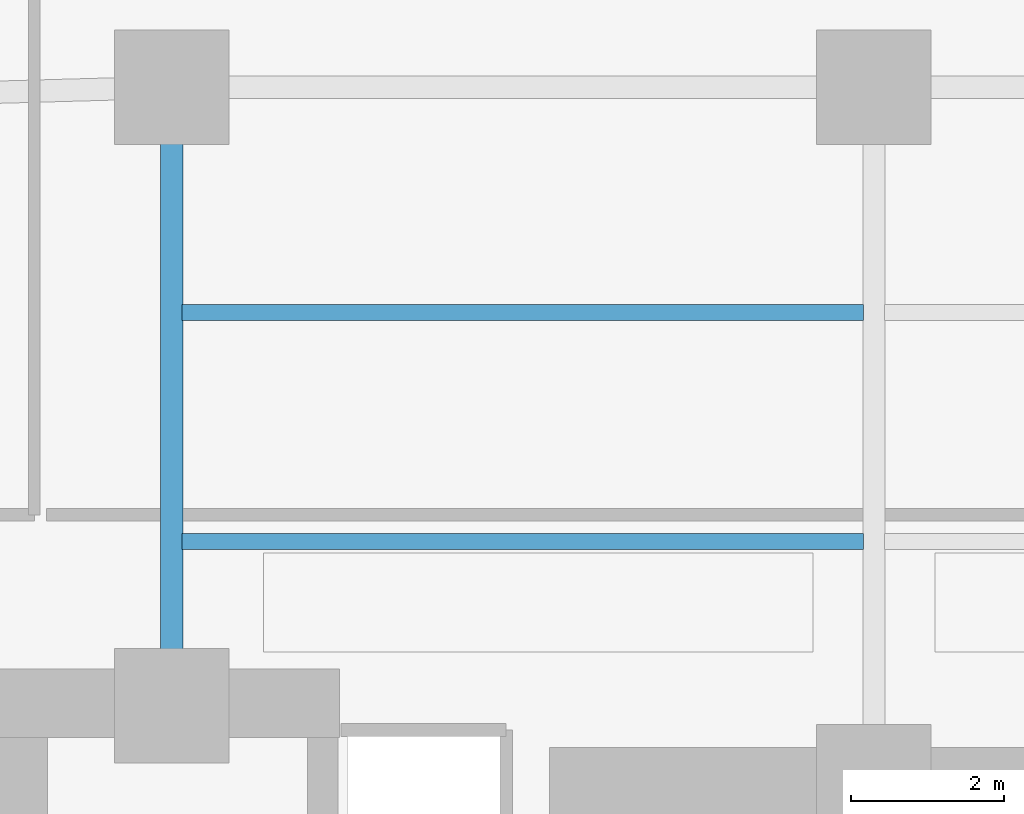
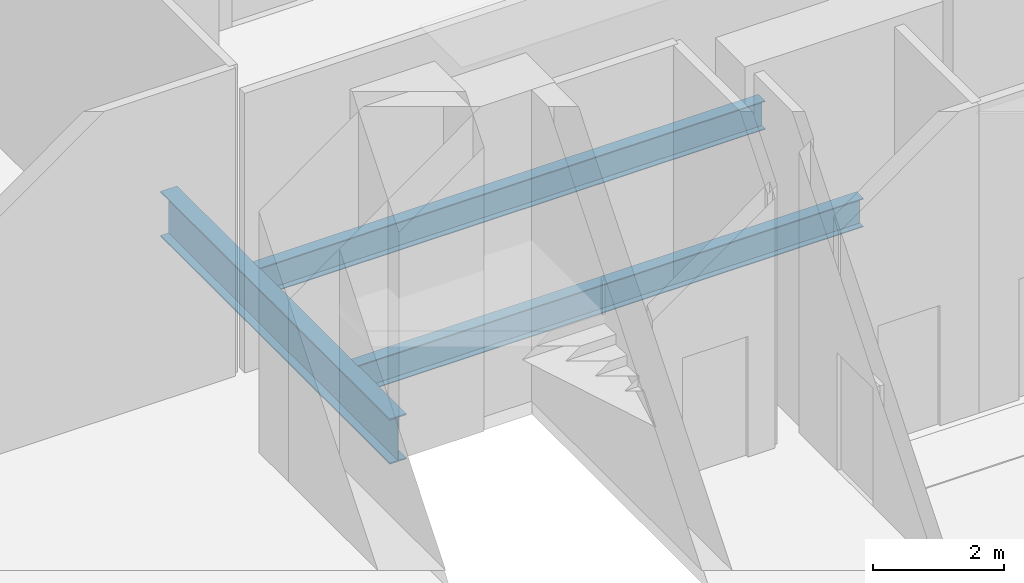
# One storey, part 14 of 39: 3 beams.
"""IFC4 building model written with IfcOpenShell, lengths in metres."""

from ifc_helpers import new_model, si_unit, direction, frame, origin, origin_2d, place, context, subcontext, project, spatial, i_section, extrude, material, material_profile, profile_set, type_object, element, save


model = new_model("IFC4")

# Units and contexts
model_context = context("Model", 3, precision=1e-05, world=origin(), true_north=direction((0.0, 1.0)))
body_context = subcontext(model_context, "Body", "Model", "MODEL_VIEW")
ifc_project = project(units=[si_unit("LENGTHUNIT", "METRE"), si_unit("AREAUNIT", "SQUARE_METRE"), si_unit("VOLUMEUNIT", "CUBIC_METRE"), si_unit("PLANEANGLEUNIT", "RADIAN"), si_unit("MASSUNIT", "GRAM", prefix="KILO")], contexts=[model_context])

# Site, building, storey
site_placement = place(None, origin())
site = spatial("IfcSite", under=ifc_project, at=site_placement, CompositionType="ELEMENT")
building_placement = place(site_placement, origin())
building = spatial("IfcBuilding", under=site, at=building_placement, Name="Zuhayl Quay Hotel", CompositionType="ELEMENT")
storey_placement = place(building_placement, origin())
storey = spatial("IfcBuildingStorey", under=building, at=storey_placement, Name="L00", CompositionType="ELEMENT", Elevation=0.0)

# Beams
ifc_material = material(Name="Steel ASTM A992 Grade 50", Category="steel")
ifc_material_profile_1 = material_profile(ifc_material, i_section(OverallWidth=0.208984375, OverallDepth=0.532958984375, WebThickness=0.01025390625, FlangeThickness=0.015625, at=origin_2d()), Name="W21X62")
ifc_profile_set_1 = profile_set([ifc_material_profile_1], Name="Steel ASTM A992 Grade 50")
beam_type_1 = type_object("IfcBeamType", Name="BM_J1_W21X62", PredefinedType="JOIST", material=ifc_profile_set_1)
for number, where, z_axis, x_axis, name in (
    (1, (-13.662109375, 16.5, -0.526611328125), (1.0, 0.0, 0.0), (0.0, 1.0, 0.0), "L00 Floor Beam J_POD_L00_4_1"),
    (2, (-13.662109375, 19.5, -0.526611328125), (1.0, 0.0, 0.0), (0.0, 1.0, 0.0), "L00 Floor Beam J_POD_L00_5_1"),
):
    element("IfcBeam", number, at=place(storey_placement, frame(where, z_axis=z_axis, x_axis=x_axis)), inside=storey, type_object=beam_type_1, Name=name, PredefinedType="JOIST", context=body_context, shape_type="SweptSolid", body=[
        extrude(i_section(OverallWidth=0.208984375, OverallDepth=0.532958984375, WebThickness=0.01025390625, FlangeThickness=0.015625, at=origin_2d()), origin(), (0.0, 0.0, 1.0), 8.924072265625),
    ])
ifc_material_profile_2 = material_profile(ifc_material, i_section(OverallWidth=0.2919921875, OverallDepth=0.845947265625, WebThickness=0.015380859375, FlangeThickness=0.0244140625, at=origin_2d()), Name="W33X141")
ifc_profile_set_2 = profile_set([ifc_material_profile_2], Name="Steel ASTM A992 Grade 50")
beam_type_2 = type_object("IfcBeamType", Name="BM_PG3_W33X141", PredefinedType="BEAM", material=ifc_profile_set_2)
beam_placement = place(storey_placement, frame((-13.800048828125, 14.919921875, -0.68310546875), z_axis=(0.0, 1.0, 0.0), x_axis=(-1.0, 0.0, 0.0)))
element("IfcBeam", 3, at=beam_placement, inside=storey, type_object=beam_type_2, Name="L00 Floor Beam PG_NS3_L00_1", PredefinedType="BEAM", context=body_context, shape_type="SweptSolid", body=[
    extrude(i_section(OverallWidth=0.2919921875, OverallDepth=0.845947265625, WebThickness=0.015380859375, FlangeThickness=0.0244140625, at=origin_2d()), origin(), (0.0, 0.0, 1.0), 7.010009765625),
])

save(model, "model.ifc")
